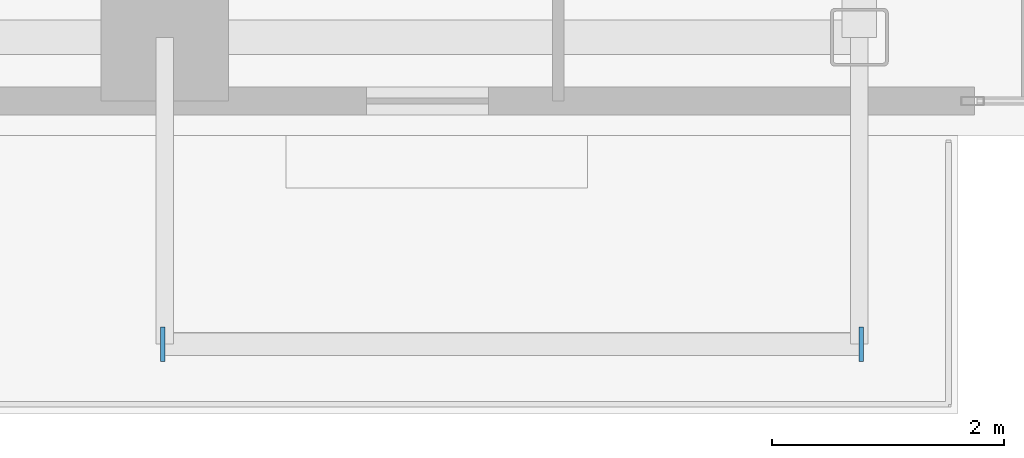
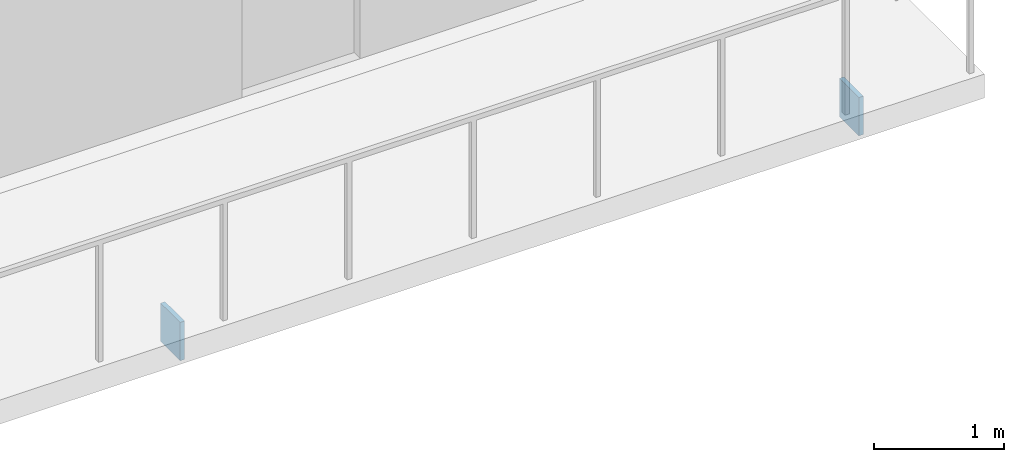
# One storey, part 20 of 28: 2 plates.
"""IFC4 building model written with IfcOpenShell, lengths in metres."""

import ifcopenshell
import ifcopenshell.guid

model = None  # the IFC model being written
_history = None  # IfcOwnerHistory: only IFC2X3 demands one
_inside = {}  # id of a spatial element -> (the spatial element, [elements in it])
_under = {}  # id of a project, library or spatial element -> (it, [spatial elements below it])
_declared = {}  # id of a project -> (the project, [libraries it declares])
_typed = {}  # id of a type object -> (the type object, [elements of that type])
_made_of = {}  # id of a material, layer set ... -> (it, [elements and type objects made of it])


def new_model(schema):
    """Start an empty IFC model of exactly this schema.

    Asked for "IFC4X3", IfcOpenShell would pick the latest addendum, in which some entities
    have other attributes; the version numbers below select the first issue.
    IFC2X3 requires an IfcOwnerHistory on every rooted entity: one is made here for all.
    """
    global model, _history
    if schema == "IFC4X3":
        model = ifcopenshell.file(schema_version=(4, 3, 0, 0))
    else:
        model = ifcopenshell.file(schema=schema)
    _inside.clear()
    _under.clear()
    _declared.clear()
    _typed.clear()
    _made_of.clear()
    _history = None
    if model.schema == "IFC2X3":
        org = make("IfcOrganization", Name="unknown")
        user = make(
            "IfcPersonAndOrganization",
            ThePerson=make("IfcPerson", FamilyName="unknown"),
            TheOrganization=org,
        )
        app = make(
            "IfcApplication",
            ApplicationDeveloper=org,
            Version="unknown",
            ApplicationFullName="unknown",
            ApplicationIdentifier="unknown",
        )
        _history = make(
            "IfcOwnerHistory",
            OwningUser=user,
            OwningApplication=app,
            ChangeAction="ADDED",
            CreationDate=0,
        )
    return model


def make(cls, **values):
    """One entity of the class cls with the attributes given. An attribute that is None is left unset."""
    return model.create_entity(
        cls, **{name: value for name, value in values.items() if value is not None}
    )


def rooted(cls, **values):
    """An entity with a GlobalId (a new one), such as an element, a storey or a relation."""
    return make(cls, GlobalId=ifcopenshell.guid.new(), OwnerHistory=_history, **values)


def si_unit(unit_type, name, prefix=None):
    """IfcSIUnit, for example si_unit("LENGTHUNIT", "METRE", prefix="MILLI")."""
    return make("IfcSIUnit", UnitType=unit_type, Prefix=prefix, Name=name)


def assignment(units):
    """IfcUnitAssignment: the units of a project."""
    return None if units is None else make("IfcUnitAssignment", Units=units)


def point(xyz):
    """IfcCartesianPoint."""
    return None if xyz is None else make("IfcCartesianPoint", Coordinates=xyz)


def direction(xyz):
    """IfcDirection."""
    return None if xyz is None else make("IfcDirection", DirectionRatios=xyz)


def frame(location, z_axis=None, x_axis=None):
    """IfcAxis2Placement3D, a coordinate frame: its origin and axes. An axis left out is left unset."""
    return make(
        "IfcAxis2Placement3D",
        Location=point(location),
        Axis=direction(z_axis),
        RefDirection=direction(x_axis),
    )


def frame_2d(location, x_axis=None):
    """IfcAxis2Placement2D, a coordinate frame in the plane: its origin and x axis."""
    return make(
        "IfcAxis2Placement2D", Location=point(location), RefDirection=direction(x_axis)
    )


def origin():
    """The frame at (0, 0, 0) with its axes left unset."""
    return frame((0.0, 0.0, 0.0))


def origin_2d():
    """The frame at (0, 0) in the plane with its x axis left unset."""
    return frame_2d((0.0, 0.0))


def place(relative_to, where):
    """IfcLocalPlacement: puts the frame where relative to a parent placement (None: the world)."""
    return make(
        "IfcLocalPlacement", PlacementRelTo=relative_to, RelativePlacement=where
    )


def context(
    kind, dimensions, precision=None, world=None, true_north=None, identifier=None
):
    """IfcGeometricRepresentationContext, for example the 3D "Model" context."""
    return make(
        "IfcGeometricRepresentationContext",
        ContextIdentifier=identifier,
        ContextType=kind,
        CoordinateSpaceDimension=dimensions,
        Precision=precision,
        WorldCoordinateSystem=world,
        TrueNorth=true_north,
    )


def subcontext(parent, identifier, kind, view, scale=None):
    """IfcGeometricRepresentationSubContext, for example "Body" below "Model"."""
    return make(
        "IfcGeometricRepresentationSubContext",
        ContextIdentifier=identifier,
        ContextType=kind,
        ParentContext=parent,
        TargetScale=scale,
        TargetView=view,
    )


def project(units=None, contexts=None):
    """IfcProject with its units and contexts."""
    return rooted(
        "IfcProject",
        Name="project",
        RepresentationContexts=contexts,
        UnitsInContext=assignment(units),
    )


def spatial(cls, under=None, at=None, **own):
    """A site, building, storey or space (cls), placed at a placement, below another one or the project."""
    s = rooted(cls, ObjectPlacement=at, **own)
    if under is not None:
        _under.setdefault(under.id(), (under, []))[1].append(s)
    return s


def profile(cls, at=None, kind="AREA", **sizes):
    """A parametric profile (cls). Its sizes go by their IFC names, for example OverallWidth=200.0."""
    return make(cls, ProfileType=kind, Position=at, **sizes)


def rectangle(**sizes):
    """IfcRectangleProfileDef."""
    return profile("IfcRectangleProfileDef", **sizes)


def extrude(swept, where, along, depth):
    """IfcExtrudedAreaSolid: the profile swept, set in the frame where, extruded along a direction by depth."""
    return make(
        "IfcExtrudedAreaSolid",
        SweptArea=swept,
        Position=where,
        ExtrudedDirection=direction(along),
        Depth=depth,
    )


def shape(context_of_items, identifier, shape_type, items):
    """IfcShapeRepresentation: the items that make up one representation, for example the "Body"."""
    return make(
        "IfcShapeRepresentation",
        ContextOfItems=context_of_items,
        RepresentationIdentifier=identifier,
        RepresentationType=shape_type,
        Items=items,
    )


def material(Name=None, Category=None):
    """IfcMaterial."""
    return make("IfcMaterial", Name=Name, Category=Category)


def layer(
    of_material, thickness, ventilated=None, Name=None, Category=None, Priority=None
):
    """IfcMaterialLayer: one layer of a wall or slab, of a material (None: an air gap)."""
    return make(
        "IfcMaterialLayer",
        Material=of_material,
        LayerThickness=thickness,
        IsVentilated=ventilated,
        Name=Name,
        Category=Category,
        Priority=Priority,
    )


def layer_set(layers, Name=None):
    """IfcMaterialLayerSet."""
    return make("IfcMaterialLayerSet", MaterialLayers=layers, LayerSetName=Name)


def made_of(thing, what):
    """Note that an element or type object is made of a material, layer set ...; save() writes the relation."""
    if what is not None:
        _made_of.setdefault(what.id(), (what, []))[1].append(thing)
    return thing


def type_object(cls, material=None, **own):
    """A type object (cls), such as IfcWallType, which elements share."""
    return made_of(rooted(cls, **own), material)


def element(
    cls,
    number,
    at=None,
    inside=None,
    cuts=None,
    type_object=None,
    material=None,
    context=None,
    identifier="Body",
    shape_type=None,
    held_by="IfcProductDefinitionShape",
    body=None,
    shapes=None,
    **own,
):
    """One element of the class cls, such as IfcWall. Its Tag is "e" and its number.

    at: its placement. inside: the storey or other place that contains it. cuts: it is an
    opening in that element (IfcRelVoidsElement). A single representation is given by context,
    identifier, shape_type and body (its items); several are given by shapes. held_by: the class
    of the entity that holds the representations. save() writes the other relations.
    """
    e = rooted(cls, Tag="e%d" % number, ObjectPlacement=at, **own)
    if body is not None:
        shapes = [shape(context, identifier, shape_type, body)]
    if shapes is not None:
        e.Representation = make(held_by, Representations=shapes)
    if inside is not None:
        _inside.setdefault(inside.id(), (inside, []))[1].append(e)
    if cuts is not None:
        rooted(
            "IfcRelVoidsElement", RelatingBuildingElement=cuts, RelatedOpeningElement=e
        )
    if type_object is not None:
        _typed.setdefault(type_object.id(), (type_object, []))[1].append(e)
    return made_of(e, material)


def aggregate(whole, parts):
    """IfcRelAggregates: a whole, such as a stair, and the parts it consists of."""
    return rooted("IfcRelAggregates", RelatingObject=whole, RelatedObjects=parts)


def save(model, path):
    """Write the relations noted so far, then the file.

    IfcRelAggregates (storeys below a building ...), IfcRelContainedInSpatialStructure (elements
    in a storey), IfcRelDefinesByType, IfcRelAssociatesMaterial and IfcRelDeclares: one each for
    every whole, place, type object, material and project.
    """
    for whole, parts in _under.values():
        aggregate(whole, parts)
    for where, things in _inside.values():
        rooted(
            "IfcRelContainedInSpatialStructure",
            RelatedElements=things,
            RelatingStructure=where,
        )
    for kind, things in _typed.values():
        rooted("IfcRelDefinesByType", RelatedObjects=things, RelatingType=kind)
    for what, things in _made_of.values():
        rooted("IfcRelAssociatesMaterial", RelatedObjects=things, RelatingMaterial=what)
    for by, libraries in _declared.values():
        rooted("IfcRelDeclares", RelatingContext=by, RelatedDefinitions=libraries)
    model.write(path)


model = new_model("IFC4")

# Units and contexts
model_context = context("Model", 3, precision=1e-05, world=origin(), true_north=direction((0.0, 1.0)))
body_context = subcontext(model_context, "Body", "Model", "MODEL_VIEW")
ifc_project = project(units=[si_unit("LENGTHUNIT", "METRE"), si_unit("AREAUNIT", "SQUARE_METRE"), si_unit("VOLUMEUNIT", "CUBIC_METRE"), si_unit("PLANEANGLEUNIT", "RADIAN"), si_unit("MASSUNIT", "GRAM", prefix="KILO"), si_unit("THERMODYNAMICTEMPERATUREUNIT", "KELVIN"), si_unit("POWERUNIT", "WATT")], contexts=[model_context])

# Site, building, storey
site_placement = place(None, origin())
site = spatial("IfcSite", under=ifc_project, at=site_placement, CompositionType="ELEMENT")
building_placement = place(site_placement, origin())
building = spatial("IfcBuilding", under=site, at=building_placement, Name="Svarakhadi Broadcast Tower", CompositionType="ELEMENT")
storey_placement = place(building_placement, frame((0.0, 0.0, 138.14990234375)))
storey = spatial("IfcBuildingStorey", under=building, at=storey_placement, Name="L33", CompositionType="ELEMENT", Elevation=138.14990234375)

# Plates
ifc_material = material(Name="Steel S460ML (IS 2062 E450BR)", Category="steel")
ifc_layer = layer(ifc_material, 0.028076171875)
ifc_layer_set = layer_set([ifc_layer], Name="Steel S460ML (IS 2062 E450BR)")
plate_type = type_object("IfcPlateType", Name="Cap_Plate_CP02", PredefinedType="USERDEFINED", material=ifc_layer_set)
for number, where, z_axis, x_axis, name in (
    (1, (35.135009765625, -1.800048828125, -0.55517578125), (0.0, 0.0, 1.0), (1.0, 0.0, 0.0), "L33 Balcony Spandrel End Cap Plate 1F-A"),
    (2, (41.1650390625, -1.800048828125, -0.55517578125), (0.0, 0.0, 1.0), (1.0, 0.0, 0.0), "L33 Balcony Spandrel End Cap Plate 1F-B"),
):
    element("IfcPlate", number, at=place(storey_placement, frame(where, z_axis=z_axis, x_axis=x_axis)), inside=storey, type_object=plate_type, Name=name, ObjectType="FLANGE_PLATE", PredefinedType="USERDEFINED", context=body_context, shape_type="SweptSolid", body=[
        extrude(rectangle(XDim=0.0400390625, YDim=0.300048828125, at=origin_2d()), origin(), (0.0, 0.0, 1.0), 0.360107421875),
    ])

save(model, "model.ifc")
